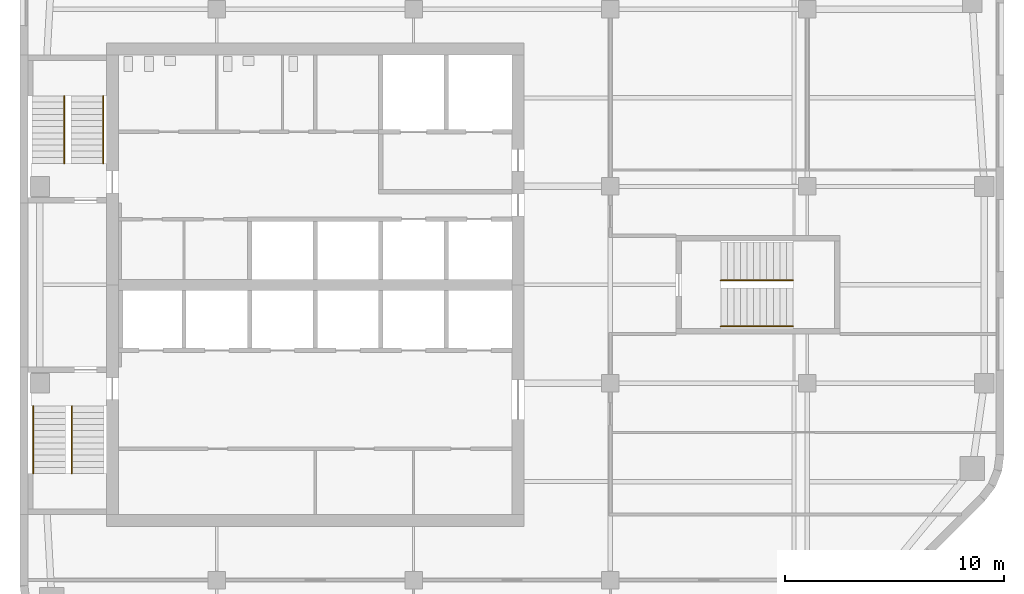
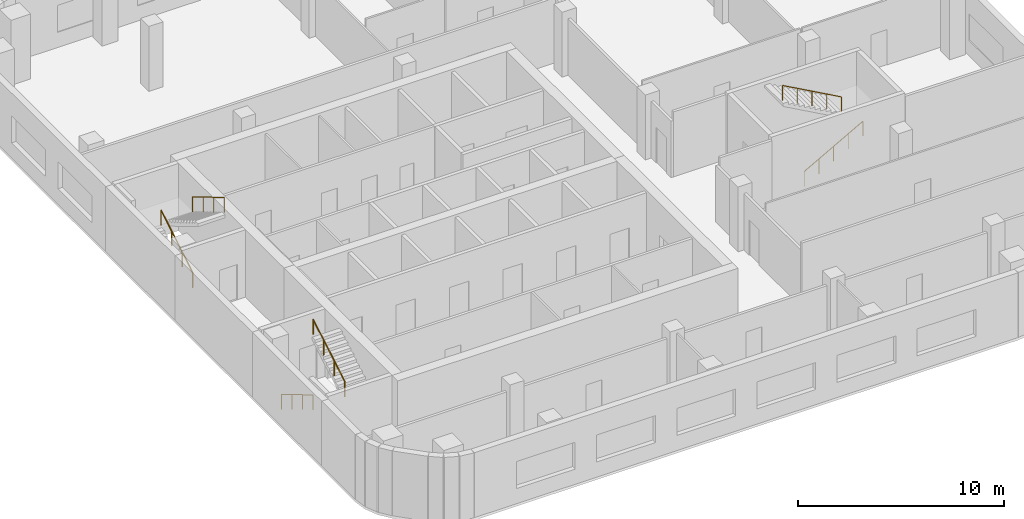
# One storey, part 7 of 8: 6 railings, 3 elements without a shape of their own.
"""IFC4 building model written with IfcOpenShell, lengths in metres."""

from ifc_helpers import new_model, si_unit, direction, frame, origin, origin_2d, place, context, subcontext, project, spatial, circle, extrude, material, type_object, element, aggregate, save


model = new_model("IFC4")

# Units and contexts
model_context = context("Model", 3, precision=1e-05, world=origin(), true_north=direction((0.0, 1.0)))
body_context = subcontext(model_context, "Body", "Model", "MODEL_VIEW")
ifc_project = project(units=[si_unit("LENGTHUNIT", "METRE"), si_unit("AREAUNIT", "SQUARE_METRE"), si_unit("VOLUMEUNIT", "CUBIC_METRE"), si_unit("PLANEANGLEUNIT", "RADIAN"), si_unit("MASSUNIT", "GRAM", prefix="KILO")], contexts=[model_context])

# Site, building, storey
site_placement = place(None, origin())
site = spatial("IfcSite", under=ifc_project, at=site_placement, CompositionType="ELEMENT")
building_placement = place(site_placement, origin())
building = spatial("IfcBuilding", under=site, at=building_placement, Name="Cinnabar Reach Civic Tower", CompositionType="ELEMENT")
storey_placement = place(building_placement, frame((0.0, 0.0, 210.0)))
storey = spatial("IfcBuildingStorey", under=building, at=storey_placement, Name="L50", CompositionType="ELEMENT", Elevation=210.0)

# Stair, railings
ifc_material_1 = material(Name="Concrete C40/50", Category="concrete")
stair_type = type_object("IfcStairType", Name="T1 Exit stair, half-turn", PredefinedType="HALF_TURN_STAIR", material=ifc_material_1)
stair_1_placement = place(storey_placement, origin())
stair_1 = element("IfcStair", 1, at=stair_1_placement, inside=storey, type_object=stair_type, Name="Stair T1-S1", PredefinedType="HALF_TURN_STAIR")
ifc_material_2 = material(Name="Stainless steel tube", Category="steel")
railing_type = type_object("IfcRailingType", Name="T1 Stair handrail, stainless tube 48", PredefinedType="HANDRAIL", material=ifc_material_2)
railing_1_placement = place(storey_placement, frame((0.6, 25.95, 0.1667)))
railing_1 = element("IfcRailing", 2, at=railing_1_placement, type_object=railing_type, Name="T1-S1 handrail 1", PredefinedType="HANDRAIL", context=body_context, shape_type="SweptSolid", body=[
    extrude(circle(Radius=0.024, at=origin_2d()), frame((0.0, 0.0, 0.876), z_axis=(0.0, -0.859296971757, 0.511476992962), x_axis=(1.0, 0.0, 0.0)), (0.0, 0.0, 1.0), 3.5843),
    extrude(circle(Radius=0.021, at=origin_2d()), origin(), (0.0, 0.0, 1.0), 0.852),
    extrude(circle(Radius=0.021, at=origin_2d()), frame((0.0, -1.0267, 0.6111)), (0.0, 0.0, 1.0), 0.852),
    extrude(circle(Radius=0.021, at=origin_2d()), frame((0.0, -2.0533, 1.2222)), (0.0, 0.0, 1.0), 0.852),
    extrude(circle(Radius=0.021, at=origin_2d()), frame((0.0, -3.08, 1.8333)), (0.0, 0.0, 1.0), 0.852),
])
railing_2_placement = place(storey_placement, frame((2.375, 22.87, 2.1667)))
railing_2 = element("IfcRailing", 3, at=railing_2_placement, type_object=railing_type, Name="T1-S1 handrail 2", PredefinedType="HANDRAIL", context=body_context, shape_type="SweptSolid", body=[
    extrude(circle(Radius=0.024, at=origin_2d()), frame((0.0, 0.0, 0.876), z_axis=(0.0, 0.859296971757, 0.511476992962), x_axis=(-1.0, 0.0, 0.0)), (0.0, 0.0, 1.0), 3.5843),
    extrude(circle(Radius=0.021, at=origin_2d()), origin(), (0.0, 0.0, 1.0), 0.852),
    extrude(circle(Radius=0.021, at=origin_2d()), frame((0.0, 1.0267, 0.6111)), (0.0, 0.0, 1.0), 0.852),
    extrude(circle(Radius=0.021, at=origin_2d()), frame((0.0, 2.0533, 1.2222)), (0.0, 0.0, 1.0), 0.852),
    extrude(circle(Radius=0.021, at=origin_2d()), frame((0.0, 3.08, 1.8333)), (0.0, 0.0, 1.0), 0.852),
])
aggregate(stair_1, [railing_1, railing_2])

stair_2_placement = place(storey_placement, origin())
stair_2 = element("IfcStair", 4, at=stair_2_placement, inside=storey, type_object=stair_type, Name="Stair T1-S2", PredefinedType="HALF_TURN_STAIR")
railing_3_placement = place(storey_placement, frame((2.025, 37.05, 0.1667)))
railing_3 = element("IfcRailing", 5, at=railing_3_placement, type_object=railing_type, Name="T1-S2 handrail 1", PredefinedType="HANDRAIL", context=body_context, shape_type="SweptSolid", body=[
    extrude(circle(Radius=0.024, at=origin_2d()), frame((0.0, 0.0, 0.876), z_axis=(0.0, 0.859296971757, 0.511476992962), x_axis=(-1.0, 0.0, 0.0)), (0.0, 0.0, 1.0), 3.5843),
    extrude(circle(Radius=0.021, at=origin_2d()), origin(), (0.0, 0.0, 1.0), 0.852),
    extrude(circle(Radius=0.021, at=origin_2d()), frame((0.0, 1.0267, 0.6111)), (0.0, 0.0, 1.0), 0.852),
    extrude(circle(Radius=0.021, at=origin_2d()), frame((0.0, 2.0533, 1.2222)), (0.0, 0.0, 1.0), 0.852),
    extrude(circle(Radius=0.021, at=origin_2d()), frame((0.0, 3.08, 1.8333)), (0.0, 0.0, 1.0), 0.852),
])
railing_4_placement = place(storey_placement, frame((3.8, 40.13, 2.1667)))
railing_4 = element("IfcRailing", 6, at=railing_4_placement, type_object=railing_type, Name="T1-S2 handrail 2", PredefinedType="HANDRAIL", context=body_context, shape_type="SweptSolid", body=[
    extrude(circle(Radius=0.024, at=origin_2d()), frame((0.0, 0.0, 0.876), z_axis=(0.0, -0.859296971757, 0.511476992962), x_axis=(1.0, 0.0, 0.0)), (0.0, 0.0, 1.0), 3.5843),
    extrude(circle(Radius=0.021, at=origin_2d()), origin(), (0.0, 0.0, 1.0), 0.852),
    extrude(circle(Radius=0.021, at=origin_2d()), frame((0.0, -1.0267, 0.6111)), (0.0, 0.0, 1.0), 0.852),
    extrude(circle(Radius=0.021, at=origin_2d()), frame((0.0, -2.0533, 1.2222)), (0.0, 0.0, 1.0), 0.852),
    extrude(circle(Radius=0.021, at=origin_2d()), frame((0.0, -3.08, 1.8333)), (0.0, 0.0, 1.0), 0.852),
])
aggregate(stair_2, [railing_3, railing_4])

stair_3_placement = place(storey_placement, origin())
stair_3 = element("IfcStair", 7, at=stair_3_placement, inside=storey, type_object=stair_type, Name="Stair T1-S3", PredefinedType="HALF_TURN_STAIR")
railing_5_placement = place(storey_placement, frame((32.05, 29.6, 0.1667)))
railing_5 = element("IfcRailing", 8, at=railing_5_placement, type_object=railing_type, Name="T1-S3 handrail 1", PredefinedType="HANDRAIL", context=body_context, shape_type="SweptSolid", body=[
    extrude(circle(Radius=0.024, at=origin_2d()), frame((0.0, 0.0, 0.876), z_axis=(0.874161024642, 0.0, 0.485636183781), x_axis=(0.0, 1.0, 0.0)), (0.0, 0.0, 1.0), 3.775),
    extrude(circle(Radius=0.021, at=origin_2d()), origin(), (0.0, 0.0, 1.0), 0.852),
    extrude(circle(Radius=0.021, at=origin_2d()), frame((0.825, 0.0, 0.4583)), (0.0, 0.0, 1.0), 0.852),
    extrude(circle(Radius=0.021, at=origin_2d()), frame((1.65, 0.0, 0.9167)), (0.0, 0.0, 1.0), 0.852),
    extrude(circle(Radius=0.021, at=origin_2d()), frame((2.475, 0.0, 1.375)), (0.0, 0.0, 1.0), 0.852),
    extrude(circle(Radius=0.021, at=origin_2d()), frame((3.3, 0.0, 1.8333)), (0.0, 0.0, 1.0), 0.852),
])
railing_6_placement = place(storey_placement, frame((35.35, 31.7, 2.1667)))
railing_6 = element("IfcRailing", 9, at=railing_6_placement, type_object=railing_type, Name="T1-S3 handrail 2", PredefinedType="HANDRAIL", context=body_context, shape_type="SweptSolid", body=[
    extrude(circle(Radius=0.024, at=origin_2d()), frame((0.0, 0.0, 0.876), z_axis=(-0.874161024642, 0.0, 0.485636183781), x_axis=(0.0, -1.0, 0.0)), (0.0, 0.0, 1.0), 3.775),
    extrude(circle(Radius=0.021, at=origin_2d()), origin(), (0.0, 0.0, 1.0), 0.852),
    extrude(circle(Radius=0.021, at=origin_2d()), frame((-0.825, 0.0, 0.4583)), (0.0, 0.0, 1.0), 0.852),
    extrude(circle(Radius=0.021, at=origin_2d()), frame((-1.65, 0.0, 0.9167)), (0.0, 0.0, 1.0), 0.852),
    extrude(circle(Radius=0.021, at=origin_2d()), frame((-2.475, 0.0, 1.375)), (0.0, 0.0, 1.0), 0.852),
    extrude(circle(Radius=0.021, at=origin_2d()), frame((-3.3, 0.0, 1.8333)), (0.0, 0.0, 1.0), 0.852),
])
aggregate(stair_3, [railing_5, railing_6])

save(model, "model.ifc")
